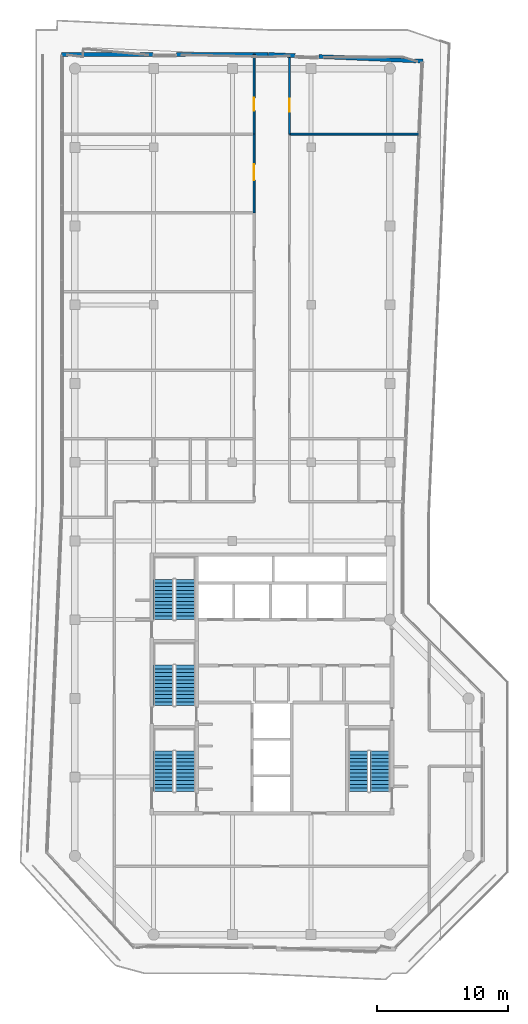
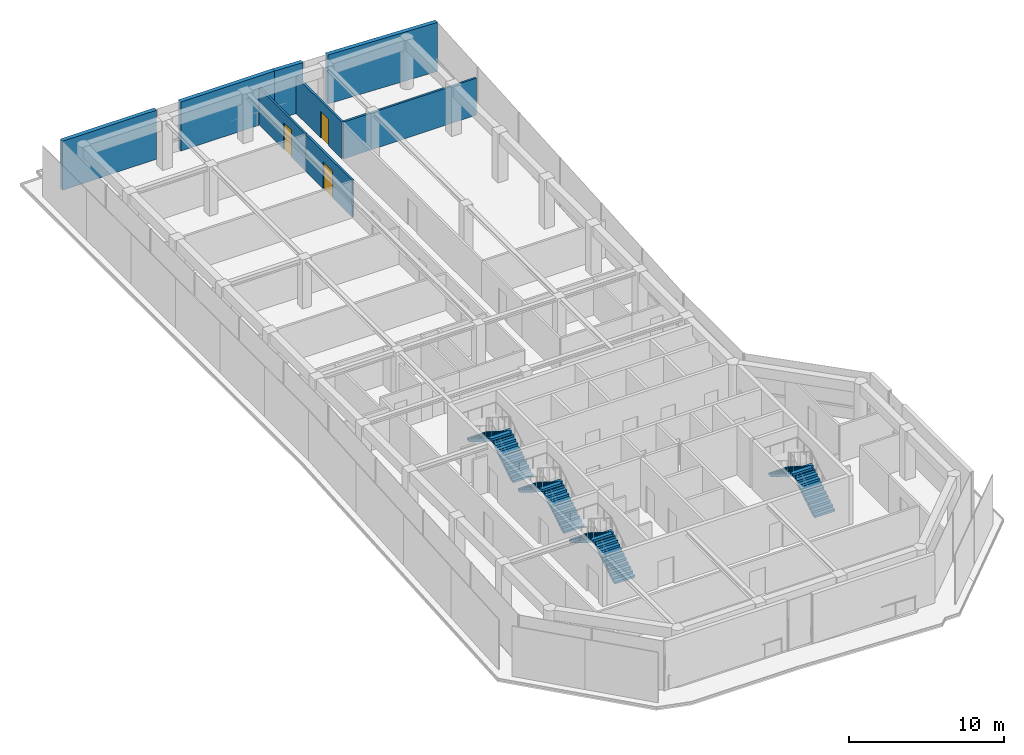
# One storey, part 17 of 19: 8 stair flights, 8 walls, 3 doors, 3 openings, 4 elements without a shape of their own.
"""IFC4 building model written with IfcOpenShell, lengths in metres."""

from ifc_helpers import new_model, si_unit, direction, frame, frame_2d, origin, place, context, subcontext, project, spatial, polyline, rectangle, outline, extrude, material, layer, layer_set, type_object, element, fill, aggregate, save


model = new_model("IFC4")

# Units and contexts
model_context = context("Model", 3, precision=1e-05, world=origin(), true_north=direction((0.0, 1.0)))
body_context = subcontext(model_context, "Body", "Model", "MODEL_VIEW")
ifc_project = project(units=[si_unit("LENGTHUNIT", "METRE"), si_unit("AREAUNIT", "SQUARE_METRE"), si_unit("VOLUMEUNIT", "CUBIC_METRE"), si_unit("PLANEANGLEUNIT", "RADIAN"), si_unit("MASSUNIT", "GRAM", prefix="KILO")], contexts=[model_context])

# Site, building, storey
site_placement = place(None, origin())
site = spatial("IfcSite", under=ifc_project, at=site_placement, CompositionType="ELEMENT")
building_placement = place(site_placement, origin())
building = spatial("IfcBuilding", under=site, at=building_placement, Name="Welwitschia Terrace Campus", CompositionType="ELEMENT")
storey_placement = place(building_placement, frame((0.0, 0.0, 276.800048828125)))
storey = spatial("IfcBuildingStorey", under=building, at=storey_placement, Name="L61", CompositionType="ELEMENT", Elevation=276.800048828125)

# Wall, opening, door
ifc_material_1 = material(Name="Gypsum board on steel studs", Category="steel")
ifc_layer_1 = layer(ifc_material_1, 0.14990234375)
ifc_layer_set_1 = layer_set([ifc_layer_1], Name="Gypsum board on steel studs")
wall_type_1 = type_object("IfcWallType", Name="Corridor partition 150 EI 30", PredefinedType="PARTITIONING", material=ifc_layer_set_1)
wall_1_placement = place(storey_placement, frame((13.64990234375, 51.0, 0.0), z_axis=(0.0, 0.0, 1.0), x_axis=(0.0, 1.0, 0.0)))
wall_1 = element("IfcWall", 1, at=wall_1_placement, inside=storey, type_object=wall_type_1, Name="Partition", PredefinedType="PARTITIONING", context=body_context, shape_type="SweptSolid", body=[
    extrude(rectangle(XDim=6.0, YDim=0.14990234375, at=frame_2d((3.0, 0.0))), origin(), (0.0, 0.0, 1.0), 2.89990234375),
])
opening_1_placement = place(wall_1_placement, frame((2.5, 0.0, 0.0)))
opening_1 = element("IfcOpeningElement", 2, at=opening_1_placement, cuts=wall_1, Name="Opening DI12", PredefinedType="OPENING", context=body_context, shape_type="SweptSolid", body=[
    extrude(rectangle(XDim=1.199951171875, YDim=2.10009765625, at=frame_2d((0.60009765625, 1.050048828125))), frame((0.0, 0.0849609375, 0.0), z_axis=(0.0, -1.0, 0.0), x_axis=(1.0, 0.0, 0.0)), (0.0, 0.0, 1.0), 0.169921875),
])
ifc_material_2 = material(Name="Timber veneered door", Category="wood")
door_type_1 = type_object("IfcDoorType", Name="Interior door DI12", OperationType="NOTDEFINED", PredefinedType="DOOR", material=ifc_material_2)
door_1_placement = place(opening_1_placement, origin())
door_1 = element("IfcDoor", 3, at=door_1_placement, inside=storey, type_object=door_type_1, Name="Door L61 1095", OperationType="SINGLE_SWING_RIGHT", OverallHeight=2.10009765625, OverallWidth=1.199951171875, PredefinedType="DOOR", context=body_context, shape_type="SweptSolid", body=[
    extrude(rectangle(XDim=1.199951171875, YDim=2.10009765625, at=frame_2d((0.60009765625, 1.050048828125))), frame((0.0, 0.02490234375, 0.0), z_axis=(0.0, -1.0, 0.0), x_axis=(1.0, 0.0, 0.0)), (0.0, 0.0, 1.0), 0.050048828125),
])
fill(opening_1, door_1)

wall_2_placement = place(storey_placement, frame((13.64990234375, 57.0, 0.0), z_axis=(0.0, 0.0, 1.0), x_axis=(0.0, 1.0, 0.0)))
wall_2 = element("IfcWall", 4, at=wall_2_placement, inside=storey, type_object=wall_type_1, Name="Partition", PredefinedType="PARTITIONING", context=body_context, shape_type="SweptSolid", body=[
    extrude(rectangle(XDim=6.090087890625, YDim=0.14990234375, at=frame_2d((3.044921875, 0.0))), origin(), (0.0, 0.0, 1.0), 2.89990234375),
])
opening_2_placement = place(wall_2_placement, frame((1.780029296875, 0.0, 0.0)))
opening_2 = element("IfcOpeningElement", 5, at=opening_2_placement, cuts=wall_2, Name="Opening DI10", PredefinedType="OPENING", context=body_context, shape_type="SweptSolid", body=[
    extrude(rectangle(XDim=1.0, YDim=2.10009765625, at=frame_2d((0.5, 1.050048828125))), frame((0.0, 0.0849609375, 0.0), z_axis=(0.0, -1.0, 0.0), x_axis=(1.0, 0.0, 0.0)), (0.0, 0.0, 1.0), 0.169921875),
])
ifc_material_3 = material(Name="Timber veneered door", Category="wood")
door_type_2 = type_object("IfcDoorType", Name="Interior door DI10", OperationType="NOTDEFINED", PredefinedType="DOOR", material=ifc_material_3)
door_2_placement = place(opening_2_placement, origin())
door_2 = element("IfcDoor", 6, at=door_2_placement, inside=storey, type_object=door_type_2, Name="Door L61 1096", OperationType="SINGLE_SWING_LEFT", OverallHeight=2.10009765625, OverallWidth=1.0, PredefinedType="DOOR", context=body_context, shape_type="SweptSolid", body=[
    extrude(rectangle(XDim=1.0, YDim=2.10009765625, at=frame_2d((0.5, 1.050048828125))), frame((0.0, 0.02490234375, 0.0), z_axis=(0.0, -1.0, 0.0), x_axis=(1.0, 0.0, 0.0)), (0.0, 0.0, 1.0), 0.050048828125),
])
fill(opening_2, door_2)

# Wall
wall_3_placement = place(storey_placement, frame((16.35009765625, 57.0, 0.0), z_axis=(0.0, 0.0, 1.0), x_axis=(1.0, 0.0, 0.0)))
element("IfcWall", 7, at=wall_3_placement, inside=storey, type_object=wall_type_1, Name="Partition", PredefinedType="PARTITIONING", context=body_context, shape_type="SweptSolid", body=[
    extrude(rectangle(XDim=9.889892578125, YDim=0.14990234375, at=frame_2d((4.94482421875, 0.0))), origin(), (0.0, 0.0, 1.0), 2.89990234375),
])

# Wall, opening, door
wall_4_placement = place(storey_placement, frame((16.35009765625, 63.018310546875, 0.0), z_axis=(0.0, 0.0, 1.0), x_axis=(0.0, -1.0, 0.0)))
wall_4 = element("IfcWall", 8, at=wall_4_placement, inside=storey, type_object=wall_type_1, Name="Partition", PredefinedType="PARTITIONING", context=body_context, shape_type="SweptSolid", body=[
    extrude(rectangle(XDim=6.018310546875, YDim=0.14990234375, at=frame_2d((3.00927734375, 0.0))), origin(), (0.0, 0.0, 1.0), 2.89990234375),
])
opening_3_placement = place(wall_4_placement, frame((3.318115234375, 0.0, 0.0)))
opening_3 = element("IfcOpeningElement", 9, at=opening_3_placement, cuts=wall_4, Name="Opening DI10", PredefinedType="OPENING", context=body_context, shape_type="SweptSolid", body=[
    extrude(rectangle(XDim=1.0, YDim=2.10009765625, at=frame_2d((0.5, 1.050048828125))), frame((0.0, 0.0849609375, 0.0), z_axis=(0.0, -1.0, 0.0), x_axis=(1.0, 0.0, 0.0)), (0.0, 0.0, 1.0), 0.169921875),
])
door_3_placement = place(opening_3_placement, origin())
door_3 = element("IfcDoor", 10, at=door_3_placement, inside=storey, type_object=door_type_2, Name="Door L61 1099", OperationType="SINGLE_SWING_RIGHT", OverallHeight=2.10009765625, OverallWidth=1.0, PredefinedType="DOOR", context=body_context, shape_type="SweptSolid", body=[
    extrude(rectangle(XDim=1.0, YDim=2.10009765625, at=frame_2d((0.5, 1.050048828125))), frame((0.0, 0.02490234375, 0.0), z_axis=(0.0, -1.0, 0.0), x_axis=(1.0, 0.0, 0.0)), (0.0, 0.0, 1.0), 0.050048828125),
])
fill(opening_3, door_3)

# Walls
ifc_material_4 = material(Name="Concrete C40/50", Category="concrete")
ifc_layer_2 = layer(ifc_material_4, 0.300048828125)
ifc_layer_set_2 = layer_set([ifc_layer_2], Name="Concrete C40/50")
wall_type_2 = type_object("IfcWallType", Name="Mass wall 300", PredefinedType="SOLIDWALL", material=ifc_layer_set_2)
wall_5_placement = place(storey_placement, frame((26.53271484375, 62.565673828125, 0.0), z_axis=(0.0, 0.0, 1.0), x_axis=(-0.999020054915, 0.044259799799, 0.0)))
element("IfcWall", 11, at=wall_5_placement, inside=storey, type_object=wall_type_2, Name="Mass wall L61.8.0", PredefinedType="SOLIDWALL", context=body_context, shape_type="SweptSolid", body=[
    extrude(rectangle(XDim=7.959716796875, YDim=0.300048828125, at=frame_2d((3.97998046875, 0.0))), origin(), (0.0, 0.0, 1.0), 3.849853515625),
])
wall_6_placement = place(storey_placement, frame((16.7822265625, 62.9892578125, 0.0), z_axis=(0.0, 0.0, 1.0), x_axis=(-0.999021060555, 0.044237094932, 0.0)))
element("IfcWall", 12, at=wall_6_placement, inside=storey, type_object=wall_type_2, Name="Mass wall L61.8.1", PredefinedType="SOLIDWALL", context=body_context, shape_type="SweptSolid", body=[
    extrude(rectangle(XDim=2.052978515625, YDim=0.300048828125, at=frame_2d((1.0263671875, 0.0))), origin(), (0.0, 0.0, 1.0), 3.849853515625),
])
for number, where, z_axis, x_axis, name in (
    (13, (14.72900390625, 63.080078125, 0.0), (0.0, 0.0, 1.0), (-1.0, 0.0, 0.0), "Mass wall L61.9.0"),
    (14, (5.949462890625, 63.078125, 0.0), (0.0, 0.0, 1.0), (-1.0, 0.0, 0.0), "Mass wall L61.9.1"),
):
    element("IfcWall", number, at=place(storey_placement, frame(where, z_axis=z_axis, x_axis=x_axis)), inside=storey, type_object=wall_type_2, Name=name, PredefinedType="SOLIDWALL", context=body_context, shape_type="SweptSolid", body=[
        extrude(rectangle(XDim=6.9794921875, YDim=0.300048828125, at=frame_2d((3.48974609375, 0.0))), origin(), (0.0, 0.0, 1.0), 3.849853515625),
    ])

# Stair, stair flights
ifc_material_5 = material(Name="Concrete C40/50", Category="concrete")
stair_type = type_object("IfcStairType", Name="Stair 24R 175 W1500", PredefinedType="HALF_TURN_STAIR", material=ifc_material_5)
stair_1_placement = place(storey_placement, origin())
stair_1 = element("IfcStair", 15, at=stair_1_placement, inside=storey, type_object=stair_type, Name="L61 Exit stair S1", PredefinedType="HALF_TURN_STAIR")
ifc_material_6 = material(Name="Concrete C40/50", Category="concrete")
stair_flight_type = type_object("IfcStairFlightType", Name="Stair flight 24R 175 W1500", PredefinedType="STRAIGHT", material=ifc_material_6)
stair_flight_1_placement = place(storey_placement, frame((8.39990234375, 6.89990234375, 0.0), z_axis=(0.0, 0.0, 1.0), x_axis=(0.0, 1.0, 0.0)))
stair_flight_1 = element("IfcStairFlight", 16, at=stair_flight_1_placement, type_object=stair_flight_type, Name="S1 flight 1", NumberOfRisers=12, NumberOfTreads=11, PredefinedType="STRAIGHT", RiserHeight=0.175, TreadLength=0.28, context=body_context, shape_type="SweptSolid", body=[
    extrude(outline(polyline([(0.0, 0.0), (0.0, 0.175048828125), (0.280029296875, 0.175048828125), (0.280029296875, 0.35009765625), (0.56005859375, 0.35009765625), (0.56005859375, 0.52490234375), (0.840087890625, 0.52490234375), (0.840087890625, 0.699951171875), (1.1201171875, 0.699951171875), (1.1201171875, 0.875), (1.39990234375, 0.875), (1.39990234375, 1.050048828125), (1.679931640625, 1.050048828125), (1.679931640625, 1.22509765625), (1.9599609375, 1.22509765625), (1.9599609375, 1.39990234375), (2.239990234375, 1.39990234375), (2.239990234375, 1.574951171875), (2.52001953125, 1.574951171875), (2.52001953125, 1.75), (2.800048828125, 1.75), (2.800048828125, 1.925048828125), (3.080078125, 1.925048828125), (3.080078125, 2.10009765625), (3.080078125, 1.748291015625), (0.28271484375, 0.0), (0.0, 0.0)])), frame((0.0, 0.75, 0.0), z_axis=(0.0, -1.0, 0.0), x_axis=(1.0, 0.0, 0.0)), (0.0, 0.0, 1.0), 1.5),
])
stair_flight_2_placement = place(storey_placement, frame((6.75, 9.97998046875, 2.099853515625), z_axis=(0.0, 0.0, 1.0), x_axis=(0.0, -1.0, 0.0)))
stair_flight_2 = element("IfcStairFlight", 17, at=stair_flight_2_placement, type_object=stair_flight_type, Name="S1 flight 2", NumberOfRisers=12, NumberOfTreads=11, PredefinedType="STRAIGHT", RiserHeight=0.175, TreadLength=0.28, context=body_context, shape_type="SweptSolid", body=[
    extrude(outline(polyline([(0.0, 0.0), (0.0, 0.175048828125), (0.280029296875, 0.175048828125), (0.280029296875, 0.35009765625), (0.56005859375, 0.35009765625), (0.56005859375, 0.52490234375), (0.840087890625, 0.52490234375), (0.840087890625, 0.699951171875), (1.1201171875, 0.699951171875), (1.1201171875, 0.875), (1.39990234375, 0.875), (1.39990234375, 1.050048828125), (1.679931640625, 1.050048828125), (1.679931640625, 1.22509765625), (1.9599609375, 1.22509765625), (1.9599609375, 1.39990234375), (2.239990234375, 1.39990234375), (2.239990234375, 1.574951171875), (2.52001953125, 1.574951171875), (2.52001953125, 1.75), (2.800048828125, 1.75), (2.800048828125, 1.925048828125), (3.080078125, 1.925048828125), (3.080078125, 2.10009765625), (3.080078125, 1.748291015625), (0.28271484375, 0.0), (0.0, 0.0)])), frame((0.0, 0.75, 0.0), z_axis=(0.0, -1.0, 0.0), x_axis=(1.0, 0.0, 0.0)), (0.0, 0.0, 1.0), 1.5),
])
aggregate(stair_1, [stair_flight_1, stair_flight_2])

stair_2_placement = place(storey_placement, origin())
stair_2 = element("IfcStair", 18, at=stair_2_placement, inside=storey, type_object=stair_type, Name="L61 Exit stair S3", PredefinedType="HALF_TURN_STAIR")
stair_flight_3_placement = place(storey_placement, frame((8.39990234375, 13.449951171875, 0.0), z_axis=(0.0, 0.0, 1.0), x_axis=(0.0, 1.0, 0.0)))
stair_flight_3 = element("IfcStairFlight", 19, at=stair_flight_3_placement, type_object=stair_flight_type, Name="S3 flight 1", NumberOfRisers=12, NumberOfTreads=11, PredefinedType="STRAIGHT", RiserHeight=0.175, TreadLength=0.28, context=body_context, shape_type="SweptSolid", body=[
    extrude(outline(polyline([(0.0, 0.0), (0.0, 0.175048828125), (0.280029296875, 0.175048828125), (0.280029296875, 0.35009765625), (0.56005859375, 0.35009765625), (0.56005859375, 0.52490234375), (0.840087890625, 0.52490234375), (0.840087890625, 0.699951171875), (1.1201171875, 0.699951171875), (1.1201171875, 0.875), (1.39990234375, 0.875), (1.39990234375, 1.050048828125), (1.679931640625, 1.050048828125), (1.679931640625, 1.22509765625), (1.9599609375, 1.22509765625), (1.9599609375, 1.39990234375), (2.239990234375, 1.39990234375), (2.239990234375, 1.574951171875), (2.52001953125, 1.574951171875), (2.52001953125, 1.75), (2.800048828125, 1.75), (2.800048828125, 1.925048828125), (3.080078125, 1.925048828125), (3.080078125, 2.10009765625), (3.080078125, 1.748291015625), (0.28271484375, 0.0), (0.0, 0.0)])), frame((0.0, 0.75, 0.0), z_axis=(0.0, -1.0, 0.0), x_axis=(1.0, 0.0, 0.0)), (0.0, 0.0, 1.0), 1.5),
])
stair_flight_4_placement = place(storey_placement, frame((6.75, 16.530029296875, 2.099853515625), z_axis=(0.0, 0.0, 1.0), x_axis=(0.0, -1.0, 0.0)))
stair_flight_4 = element("IfcStairFlight", 20, at=stair_flight_4_placement, type_object=stair_flight_type, Name="S3 flight 2", NumberOfRisers=12, NumberOfTreads=11, PredefinedType="STRAIGHT", RiserHeight=0.175, TreadLength=0.28, context=body_context, shape_type="SweptSolid", body=[
    extrude(outline(polyline([(0.0, 0.0), (0.0, 0.175048828125), (0.280029296875, 0.175048828125), (0.280029296875, 0.35009765625), (0.56005859375, 0.35009765625), (0.56005859375, 0.52490234375), (0.840087890625, 0.52490234375), (0.840087890625, 0.699951171875), (1.1201171875, 0.699951171875), (1.1201171875, 0.875), (1.39990234375, 0.875), (1.39990234375, 1.050048828125), (1.679931640625, 1.050048828125), (1.679931640625, 1.22509765625), (1.9599609375, 1.22509765625), (1.9599609375, 1.39990234375), (2.239990234375, 1.39990234375), (2.239990234375, 1.574951171875), (2.52001953125, 1.574951171875), (2.52001953125, 1.75), (2.800048828125, 1.75), (2.800048828125, 1.925048828125), (3.080078125, 1.925048828125), (3.080078125, 2.10009765625), (3.080078125, 1.748291015625), (0.28271484375, 0.0), (0.0, 0.0)])), frame((0.0, 0.75, 0.0), z_axis=(0.0, -1.0, 0.0), x_axis=(1.0, 0.0, 0.0)), (0.0, 0.0, 1.0), 1.5),
])
aggregate(stair_2, [stair_flight_3, stair_flight_4])

stair_3_placement = place(storey_placement, origin())
stair_3 = element("IfcStair", 21, at=stair_3_placement, inside=storey, type_object=stair_type, Name="L61 Exit stair S4", PredefinedType="HALF_TURN_STAIR")
stair_flight_5_placement = place(storey_placement, frame((8.39990234375, 20.0, 0.0), z_axis=(0.0, 0.0, 1.0), x_axis=(0.0, 1.0, 0.0)))
stair_flight_5 = element("IfcStairFlight", 22, at=stair_flight_5_placement, type_object=stair_flight_type, Name="S4 flight 1", NumberOfRisers=12, NumberOfTreads=11, PredefinedType="STRAIGHT", RiserHeight=0.175, TreadLength=0.28, context=body_context, shape_type="SweptSolid", body=[
    extrude(outline(polyline([(0.0, 0.0), (0.0, 0.175048828125), (0.280029296875, 0.175048828125), (0.280029296875, 0.35009765625), (0.56005859375, 0.35009765625), (0.56005859375, 0.52490234375), (0.840087890625, 0.52490234375), (0.840087890625, 0.699951171875), (1.1201171875, 0.699951171875), (1.1201171875, 0.875), (1.39990234375, 0.875), (1.39990234375, 1.050048828125), (1.679931640625, 1.050048828125), (1.679931640625, 1.22509765625), (1.9599609375, 1.22509765625), (1.9599609375, 1.39990234375), (2.239990234375, 1.39990234375), (2.239990234375, 1.574951171875), (2.52001953125, 1.574951171875), (2.52001953125, 1.75), (2.800048828125, 1.75), (2.800048828125, 1.925048828125), (3.080078125, 1.925048828125), (3.080078125, 2.10009765625), (3.080078125, 1.748291015625), (0.28271484375, 0.0), (0.0, 0.0)])), frame((0.0, 0.75, 0.0), z_axis=(0.0, -1.0, 0.0), x_axis=(1.0, 0.0, 0.0)), (0.0, 0.0, 1.0), 1.5),
])
stair_flight_6_placement = place(storey_placement, frame((6.75, 23.080078125, 2.099853515625), z_axis=(0.0, 0.0, 1.0), x_axis=(0.0, -1.0, 0.0)))
stair_flight_6 = element("IfcStairFlight", 23, at=stair_flight_6_placement, type_object=stair_flight_type, Name="S4 flight 2", NumberOfRisers=12, NumberOfTreads=11, PredefinedType="STRAIGHT", RiserHeight=0.175, TreadLength=0.28, context=body_context, shape_type="SweptSolid", body=[
    extrude(outline(polyline([(0.0, 0.0), (0.0, 0.175048828125), (0.280029296875, 0.175048828125), (0.280029296875, 0.35009765625), (0.56005859375, 0.35009765625), (0.56005859375, 0.52490234375), (0.840087890625, 0.52490234375), (0.840087890625, 0.699951171875), (1.1201171875, 0.699951171875), (1.1201171875, 0.875), (1.39990234375, 0.875), (1.39990234375, 1.050048828125), (1.679931640625, 1.050048828125), (1.679931640625, 1.22509765625), (1.9599609375, 1.22509765625), (1.9599609375, 1.39990234375), (2.239990234375, 1.39990234375), (2.239990234375, 1.574951171875), (2.52001953125, 1.574951171875), (2.52001953125, 1.75), (2.800048828125, 1.75), (2.800048828125, 1.925048828125), (3.080078125, 1.925048828125), (3.080078125, 2.10009765625), (3.080078125, 1.748291015625), (0.28271484375, 0.0), (0.0, 0.0)])), frame((0.0, 0.75, 0.0), z_axis=(0.0, -1.0, 0.0), x_axis=(1.0, 0.0, 0.0)), (0.0, 0.0, 1.0), 1.5),
])
aggregate(stair_3, [stair_flight_5, stair_flight_6])

stair_4_placement = place(storey_placement, origin())
stair_4 = element("IfcStair", 24, at=stair_4_placement, inside=storey, type_object=stair_type, Name="L61 Exit stair S2", PredefinedType="HALF_TURN_STAIR")
stair_flight_7_placement = place(storey_placement, frame((23.25, 6.89990234375, 0.0), z_axis=(0.0, 0.0, 1.0), x_axis=(0.0, 1.0, 0.0)))
stair_flight_7 = element("IfcStairFlight", 25, at=stair_flight_7_placement, type_object=stair_flight_type, Name="S2 flight 1", NumberOfRisers=12, NumberOfTreads=11, PredefinedType="STRAIGHT", RiserHeight=0.175, TreadLength=0.28, context=body_context, shape_type="SweptSolid", body=[
    extrude(outline(polyline([(0.0, 0.0), (0.0, 0.175048828125), (0.280029296875, 0.175048828125), (0.280029296875, 0.35009765625), (0.56005859375, 0.35009765625), (0.56005859375, 0.52490234375), (0.840087890625, 0.52490234375), (0.840087890625, 0.699951171875), (1.1201171875, 0.699951171875), (1.1201171875, 0.875), (1.39990234375, 0.875), (1.39990234375, 1.050048828125), (1.679931640625, 1.050048828125), (1.679931640625, 1.22509765625), (1.9599609375, 1.22509765625), (1.9599609375, 1.39990234375), (2.239990234375, 1.39990234375), (2.239990234375, 1.574951171875), (2.52001953125, 1.574951171875), (2.52001953125, 1.75), (2.800048828125, 1.75), (2.800048828125, 1.925048828125), (3.080078125, 1.925048828125), (3.080078125, 2.10009765625), (3.080078125, 1.748291015625), (0.28271484375, 0.0), (0.0, 0.0)])), frame((0.0, 0.75, 0.0), z_axis=(0.0, -1.0, 0.0), x_axis=(1.0, 0.0, 0.0)), (0.0, 0.0, 1.0), 1.5),
])
stair_flight_8_placement = place(storey_placement, frame((21.60009765625, 9.97998046875, 2.099853515625), z_axis=(0.0, 0.0, 1.0), x_axis=(0.0, -1.0, 0.0)))
stair_flight_8 = element("IfcStairFlight", 26, at=stair_flight_8_placement, type_object=stair_flight_type, Name="S2 flight 2", NumberOfRisers=12, NumberOfTreads=11, PredefinedType="STRAIGHT", RiserHeight=0.175, TreadLength=0.28, context=body_context, shape_type="SweptSolid", body=[
    extrude(outline(polyline([(0.0, 0.0), (0.0, 0.175048828125), (0.280029296875, 0.175048828125), (0.280029296875, 0.35009765625), (0.56005859375, 0.35009765625), (0.56005859375, 0.52490234375), (0.840087890625, 0.52490234375), (0.840087890625, 0.699951171875), (1.1201171875, 0.699951171875), (1.1201171875, 0.875), (1.39990234375, 0.875), (1.39990234375, 1.050048828125), (1.679931640625, 1.050048828125), (1.679931640625, 1.22509765625), (1.9599609375, 1.22509765625), (1.9599609375, 1.39990234375), (2.239990234375, 1.39990234375), (2.239990234375, 1.574951171875), (2.52001953125, 1.574951171875), (2.52001953125, 1.75), (2.800048828125, 1.75), (2.800048828125, 1.925048828125), (3.080078125, 1.925048828125), (3.080078125, 2.10009765625), (3.080078125, 1.748291015625), (0.28271484375, 0.0), (0.0, 0.0)])), frame((0.0, 0.75, 0.0), z_axis=(0.0, -1.0, 0.0), x_axis=(1.0, 0.0, 0.0)), (0.0, 0.0, 1.0), 1.5),
])
aggregate(stair_4, [stair_flight_7, stair_flight_8])

save(model, "model.ifc")
